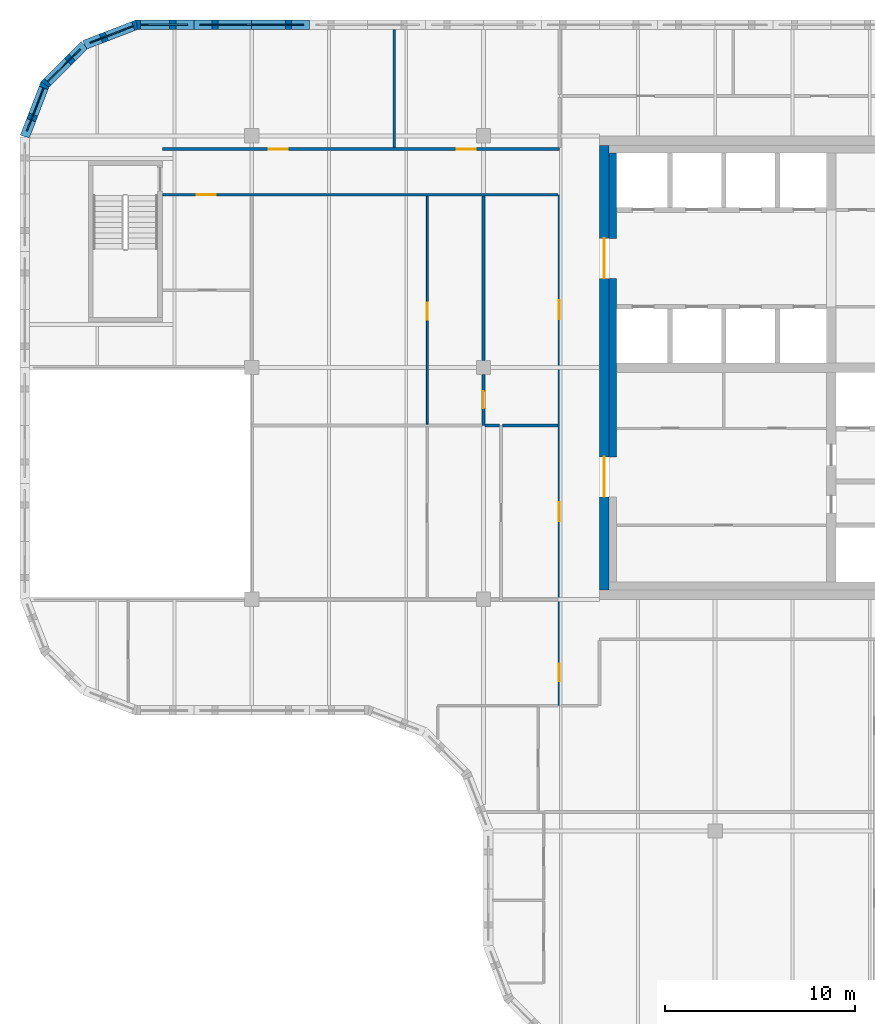
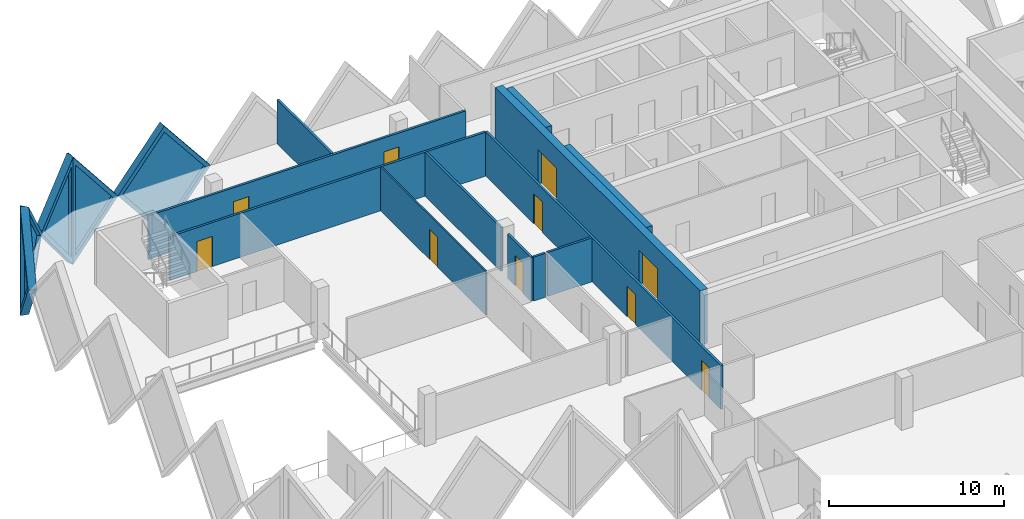
# One storey, part 7 of 11: 17 walls, 10 doors, 5 plates, 15 openings.
"""IFC4 building model written with IfcOpenShell, lengths in metres."""

from ifc_helpers import new_model, si_unit, direction, frame, frame_2d, origin, place, context, subcontext, project, spatial, polyline, rectangle, outline, extrude, faceted_brep, source, transform, mapped, material, layer, layer_set, type_object, element, fill, save


model = new_model("IFC4")

# Units and contexts
model_context = context("Model", 3, precision=1e-05, world=origin(), true_north=direction((0.0, 1.0)))
body_context = subcontext(model_context, "Body", "Model", "MODEL_VIEW")
ifc_project = project(units=[si_unit("LENGTHUNIT", "METRE"), si_unit("AREAUNIT", "SQUARE_METRE"), si_unit("VOLUMEUNIT", "CUBIC_METRE"), si_unit("PLANEANGLEUNIT", "RADIAN"), si_unit("MASSUNIT", "GRAM", prefix="KILO")], contexts=[model_context])

# Site, building, storey
site_placement = place(None, origin())
site = spatial("IfcSite", under=ifc_project, at=site_placement, CompositionType="ELEMENT")
building_placement = place(site_placement, origin())
building = spatial("IfcBuilding", under=site, at=building_placement, Name="Tessera Gate Towers", CompositionType="ELEMENT")
storey_placement = place(building_placement, frame((0.0, 0.0, 205.5)))
storey = spatial("IfcBuildingStorey", under=building, at=storey_placement, Name="L51", CompositionType="ELEMENT", Elevation=205.5)

# Wall, openings, doors
ifc_material_1 = material(Name="Concrete C50/60", Category="concrete")
ifc_layer_1 = layer(ifc_material_1, 0.5)
ifc_layer_set_1 = layer_set([ifc_layer_1], Name="CORE SHEAR WALL 500 C50/60")
wall_type_1 = type_object("IfcWallType", Name="CORE SHEAR WALL 500 C50/60", PredefinedType="SHEAR", material=ifc_layer_set_1)
wall_1_placement = place(storey_placement, frame((30.75, 24.89990234375, 0.0), z_axis=(0.0, 0.0, 1.0), x_axis=(0.0, 1.0, 0.0)))
wall_1 = element("IfcWall", 1, at=wall_1_placement, inside=storey, type_object=wall_type_1, Name="Core wall W L51", PredefinedType="SHEAR", context=body_context, shape_type="SweptSolid", body=[
    extrude(rectangle(XDim=23.400146484375, YDim=0.5, at=frame_2d((11.7001953125, 0.0))), origin(), (0.0, 0.0, 1.0), 3.800048828125),
])
shared_shape_1 = source(origin(), body_context, "Body", "SweptSolid", [
    extrude(rectangle(XDim=2.10009765625, YDim=2.39990234375, at=frame_2d((1.050048828125, 1.199951171875))), frame((0.0, 0.260009765625, 0.0), z_axis=(0.0, -1.0, 0.0), x_axis=(1.0, 0.0, 0.0)), (0.0, 0.0, 1.0), 0.52001953125),
])
opening_1_placement = place(wall_1_placement, frame((4.89990234375, 0.0, 0.0)))
opening_1 = element("IfcOpeningElement", 2, at=opening_1_placement, cuts=wall_1, Name="Opening DD-T1-31-02", PredefinedType="OPENING", context=body_context, shape_type="MappedRepresentation", body=[
    mapped(shared_shape_1, transform((0.0, 0.0, 0.0), scale=1.0)),
])
opening_2_placement = place(wall_1_placement, frame((16.39990234375, 0.0, 0.0)))
opening_2 = element("IfcOpeningElement", 3, at=opening_2_placement, cuts=wall_1, Name="Opening DD-T1-31-03", PredefinedType="OPENING", context=body_context, shape_type="MappedRepresentation", body=[
    mapped(shared_shape_1, transform((0.0, 0.0, 0.0), scale=1.0)),
])
ifc_material_2 = material(Name="Hollow steel fire door", Category="steel")
door_type_1 = type_object("IfcDoorType", Name="CORE DOOR DD 2100x2400", OperationType="NOTDEFINED", PredefinedType="DOOR", material=ifc_material_2)
shared_shape_2 = source(origin(), body_context, "Body", "SweptSolid", [
    extrude(rectangle(XDim=2.10009765625, YDim=2.39990234375, at=frame_2d((1.050048828125, 1.199951171875))), frame((0.0, 0.02490234375, 0.0), z_axis=(0.0, -1.0, 0.0), x_axis=(1.0, 0.0, 0.0)), (0.0, 0.0, 1.0), 0.050048828125),
])
door_1_placement = place(opening_1_placement, origin())
door_1 = element("IfcDoor", 4, at=door_1_placement, inside=storey, type_object=door_type_1, Name="Core entrance door", OperationType="DOUBLE_DOOR_SINGLE_SWING", OverallHeight=2.39990234375, OverallWidth=2.10009765625, PredefinedType="DOOR", context=body_context, shape_type="MappedRepresentation", body=[
    mapped(shared_shape_2, transform((0.0, 0.0, 0.0), scale=1.0)),
])
fill(opening_1, door_1)
door_2_placement = place(opening_2_placement, origin())
door_2 = element("IfcDoor", 5, at=door_2_placement, inside=storey, type_object=door_type_1, Name="Core entrance door", OperationType="DOUBLE_DOOR_SINGLE_SWING", OverallHeight=2.39990234375, OverallWidth=2.10009765625, PredefinedType="DOOR", context=body_context, shape_type="MappedRepresentation", body=[
    mapped(shared_shape_2, transform((0.0, 0.0, 0.0), scale=1.0)),
])
fill(opening_2, door_2)

# Walls
ifc_material_3 = material(Name="Concrete C50/60", Category="concrete")
ifc_layer_2 = layer(ifc_material_3, 0.39990234375)
ifc_layer_set_2 = layer_set([ifc_layer_2], Name="CORE WALL THICKENING 400")
wall_type_2 = type_object("IfcWallType", Name="CORE WALL THICKENING 400", PredefinedType="SOLIDWALL", material=ifc_layer_set_2)
wall_2_placement = place(storey_placement, frame((31.199951171875, 31.89990234375, 0.0), z_axis=(0.0, 0.0, 1.0), x_axis=(0.0, 1.0, 0.0)))
element("IfcWall", 6, at=wall_2_placement, inside=storey, type_object=wall_type_2, Name="Core wall thickening W L51", PredefinedType="SOLIDWALL", context=body_context, shape_type="SweptSolid", body=[
    extrude(rectangle(XDim=9.400146484375, YDim=0.39990234375, at=frame_2d((4.7001953125, 0.0))), origin(), (0.0, 0.0, 1.0), 3.800048828125),
])
wall_3_placement = place(storey_placement, frame((31.199951171875, 43.39990234375, 0.0), z_axis=(0.0, 0.0, 1.0), x_axis=(0.0, 1.0, 0.0)))
element("IfcWall", 7, at=wall_3_placement, inside=storey, type_object=wall_type_2, Name="Core wall thickening W L51", PredefinedType="SOLIDWALL", context=body_context, shape_type="SweptSolid", body=[
    extrude(rectangle(XDim=4.5, YDim=0.39990234375, at=frame_2d((2.25, 0.0))), origin(), (0.0, 0.0, 1.0), 3.800048828125),
])

# Wall, openings, doors
ifc_material_4 = material(Name="Gypsum board on steel studs, mineral wool", Category="steel")
ifc_layer_3 = layer(ifc_material_4, 0.14990234375)
ifc_layer_set_3 = layer_set([ifc_layer_3], Name="CORRIDOR WALL 150")
wall_type_3 = type_object("IfcWallType", Name="CORRIDOR WALL 150", PredefinedType="PARTITIONING", material=ifc_layer_set_3)
wall_4_placement = place(storey_placement, frame((28.39990234375, 18.800048828125, 0.0), z_axis=(0.0, 0.0, 1.0), x_axis=(0.0, 1.0, 0.0)))
wall_4 = element("IfcWall", 8, at=wall_4_placement, inside=storey, type_object=wall_type_3, Name="T1-L51-PW-022", PredefinedType="PARTITIONING", context=body_context, shape_type="SweptSolid", body=[
    extrude(rectangle(XDim=26.89990234375, YDim=0.14990234375, at=frame_2d((13.449951171875, 0.0))), origin(), (0.0, 0.0, 1.0), 3.06689453125),
])
shared_shape_3 = source(origin(), body_context, "Body", "SweptSolid", [
    extrude(rectangle(XDim=0.89990234375, YDim=2.10009765625, at=frame_2d((0.449951171875, 1.050048828125))), frame((0.0, 0.0849609375, 0.0), z_axis=(0.0, -1.0, 0.0), x_axis=(1.0, 0.0, 0.0)), (0.0, 0.0, 1.0), 0.169921875),
])
opening_3_placement = place(wall_4_placement, frame((1.300048828125, 0.0, 0.0)))
opening_3 = element("IfcOpeningElement", 9, at=opening_3_placement, cuts=wall_4, Name="Opening D890FD60-A18-01", PredefinedType="OPENING", context=body_context, shape_type="MappedRepresentation", body=[
    mapped(shared_shape_3, transform((0.0, 0.0, 0.0), scale=1.0)),
])
shared_shape_4 = source(origin(), body_context, "Body", "SweptSolid", [
    extrude(rectangle(XDim=1.0, YDim=2.10009765625, at=frame_2d((0.5, 1.050048828125))), frame((0.0, 0.0849609375, 0.0), z_axis=(0.0, -1.0, 0.0), x_axis=(1.0, 0.0, 0.0)), (0.0, 0.0, 1.0), 0.169921875),
])
opening_4_placement = place(wall_4_placement, frame((9.699951171875, 0.0, 0.0)))
opening_4 = element("IfcOpeningElement", 10, at=opening_4_placement, cuts=wall_4, Name="Opening D2100FD60-A18-04", PredefinedType="OPENING", context=body_context, shape_type="MappedRepresentation", body=[
    mapped(shared_shape_4, transform((0.0, 0.0, 0.0), scale=1.0)),
])
opening_5_placement = place(wall_4_placement, frame((20.35009765625, 0.0, 0.0)))
opening_5 = element("IfcOpeningElement", 11, at=opening_5_placement, cuts=wall_4, Name="Opening D2100FD60-A18-06", PredefinedType="OPENING", context=body_context, shape_type="MappedRepresentation", body=[
    mapped(shared_shape_4, transform((0.0, 0.0, 0.0), scale=1.0)),
])
ifc_material_5 = material(Name="Timber door leaf in steel frame", Category="steel")
door_type_2 = type_object("IfcDoorType", Name="CORRIDOR DOOR 900 FD60", OperationType="NOTDEFINED", PredefinedType="DOOR", material=ifc_material_5)
shared_shape_5 = source(origin(), body_context, "Body", "SweptSolid", [
    extrude(rectangle(XDim=0.89990234375, YDim=2.10009765625, at=frame_2d((0.449951171875, 1.050048828125))), frame((0.0, 0.02490234375, 0.0), z_axis=(0.0, -1.0, 0.0), x_axis=(1.0, 0.0, 0.0)), (0.0, 0.0, 1.0), 0.050048828125),
])
door_3_placement = place(opening_3_placement, origin())
door_3 = element("IfcDoor", 12, at=door_3_placement, inside=storey, type_object=door_type_2, Name="T1-L51-PD-001", OperationType="SINGLE_SWING_LEFT", OverallHeight=2.10009765625, OverallWidth=0.89990234375, PredefinedType="DOOR", context=body_context, shape_type="MappedRepresentation", body=[
    mapped(shared_shape_5, transform((0.0, 0.0, 0.0), scale=1.0)),
])
fill(opening_3, door_3)
ifc_material_6 = material(Name="Timber door leaf in steel frame", Category="steel")
door_type_3 = type_object("IfcDoorType", Name="TENANCY ENTRANCE DOOR 1000 FD60", OperationType="NOTDEFINED", PredefinedType="DOOR", material=ifc_material_6)
shared_shape_6 = source(origin(), body_context, "Body", "SweptSolid", [
    extrude(rectangle(XDim=1.0, YDim=2.10009765625, at=frame_2d((0.5, 1.050048828125))), frame((0.0, 0.02490234375, 0.0), z_axis=(0.0, -1.0, 0.0), x_axis=(1.0, 0.0, 0.0)), (0.0, 0.0, 1.0), 0.050048828125),
])
door_4_placement = place(opening_4_placement, origin())
door_4 = element("IfcDoor", 13, at=door_4_placement, inside=storey, type_object=door_type_3, Name="T1-L51-PD-018", OperationType="SINGLE_SWING_LEFT", OverallHeight=2.10009765625, OverallWidth=1.0, PredefinedType="DOOR", context=body_context, shape_type="MappedRepresentation", body=[
    mapped(shared_shape_6, transform((0.0, 0.0, 0.0), scale=1.0)),
])
fill(opening_4, door_4)
door_5_placement = place(opening_5_placement, origin())
door_5 = element("IfcDoor", 14, at=door_5_placement, inside=storey, type_object=door_type_3, Name="T1-L51-PD-024", OperationType="SINGLE_SWING_LEFT", OverallHeight=2.10009765625, OverallWidth=1.0, PredefinedType="DOOR", context=body_context, shape_type="MappedRepresentation", body=[
    mapped(shared_shape_6, transform((0.0, 0.0, 0.0), scale=1.0)),
])
fill(opening_5, door_5)

# Wall, opening, door
wall_5_placement = place(storey_placement, frame((28.323974609375, 45.699951171875, 0.0), z_axis=(0.0, 0.0, 1.0), x_axis=(-1.0, 0.0, 0.0)))
wall_5 = element("IfcWall", 15, at=wall_5_placement, inside=storey, type_object=wall_type_3, Name="T1-L51-PW-043", PredefinedType="PARTITIONING", context=body_context, shape_type="SweptSolid", body=[
    extrude(rectangle(XDim=20.823974609375, YDim=0.14990234375, at=frame_2d((10.412109375, 0.0))), origin(), (0.0, 0.0, 1.0), 3.06689453125),
])
opening_6_placement = place(wall_5_placement, frame((18.02392578125, 0.0, 0.0)))
opening_6 = element("IfcOpeningElement", 16, at=opening_6_placement, cuts=wall_5, Name="Opening D2100FD60-A18-01", PredefinedType="OPENING", context=body_context, shape_type="MappedRepresentation", body=[
    mapped(shared_shape_4, transform((0.0, 0.0, 0.0), scale=1.0)),
])
door_6_placement = place(opening_6_placement, origin())
door_6 = element("IfcDoor", 17, at=door_6_placement, inside=storey, type_object=door_type_3, Name="T1-L51-PD-006", OperationType="SINGLE_SWING_RIGHT", OverallHeight=2.10009765625, OverallWidth=1.0, PredefinedType="DOOR", context=body_context, shape_type="MappedRepresentation", body=[
    mapped(shared_shape_6, transform((0.0, 0.0, 0.0), scale=1.0)),
])
fill(opening_6, door_6)

# Wall, openings, doors
wall_6_placement = place(storey_placement, frame((7.5, 48.10009765625, 0.0), z_axis=(0.0, 0.0, 1.0), x_axis=(1.0, 0.0, 0.0)))
wall_6 = element("IfcWall", 18, at=wall_6_placement, inside=storey, type_object=wall_type_3, Name="T1-L51-PW-044", PredefinedType="PARTITIONING", context=body_context, shape_type="SweptSolid", body=[
    extrude(rectangle(XDim=20.89990234375, YDim=0.14990234375, at=frame_2d((10.449951171875, 0.0))), origin(), (0.0, 0.0, 1.0), 3.06689453125),
])
opening_7_placement = place(wall_6_placement, frame((15.5009765625, 0.0, 0.0)))
opening_7 = element("IfcOpeningElement", 19, at=opening_7_placement, cuts=wall_6, Name="Opening D2100FD60-A18-03", PredefinedType="OPENING", context=body_context, shape_type="MappedRepresentation", body=[
    mapped(shared_shape_4, transform((0.0, 0.0, 0.0), scale=1.0)),
])
opening_8_placement = place(wall_6_placement, frame((5.60009765625, 0.0, 0.0)))
opening_8 = element("IfcOpeningElement", 20, at=opening_8_placement, cuts=wall_6, Name="Opening D2100FD60-A18-07", PredefinedType="OPENING", context=body_context, shape_type="MappedRepresentation", body=[
    mapped(shared_shape_4, transform((0.0, 0.0, 0.0), scale=1.0)),
])
door_7_placement = place(opening_7_placement, origin())
door_7 = element("IfcDoor", 21, at=door_7_placement, inside=storey, type_object=door_type_3, Name="T1-L51-PD-013", OperationType="SINGLE_SWING_LEFT", OverallHeight=2.10009765625, OverallWidth=1.0, PredefinedType="DOOR", context=body_context, shape_type="MappedRepresentation", body=[
    mapped(shared_shape_6, transform((0.0, 0.0, 0.0), scale=1.0)),
])
fill(opening_7, door_7)
door_8_placement = place(opening_8_placement, origin())
door_8 = element("IfcDoor", 22, at=door_8_placement, inside=storey, type_object=door_type_3, Name="T1-L51-PD-025", OperationType="SINGLE_SWING_LEFT", OverallHeight=2.10009765625, OverallWidth=1.0, PredefinedType="DOOR", context=body_context, shape_type="MappedRepresentation", body=[
    mapped(shared_shape_6, transform((0.0, 0.0, 0.0), scale=1.0)),
])
fill(opening_8, door_8)

# Wall, opening, door
ifc_material_7 = material(Name="Gypsum board on steel studs", Category="steel")
ifc_layer_4 = layer(ifc_material_7, 0.10009765625)
ifc_layer_set_4 = layer_set([ifc_layer_4], Name="PARTITION 100")
wall_type_4 = type_object("IfcWallType", Name="PARTITION 100", PredefinedType="PARTITIONING", material=ifc_layer_set_4)
wall_7_placement = place(storey_placement, frame((21.449951171875, 33.6259765625, 0.0), z_axis=(0.0, 0.0, 1.0), x_axis=(0.0, 1.0, 0.0)))
wall_7 = element("IfcWall", 23, at=wall_7_placement, inside=storey, type_object=wall_type_4, Name="T1-L51-PW-039", PredefinedType="PARTITIONING", context=body_context, shape_type="SweptSolid", body=[
    extrude(rectangle(XDim=11.998046875, YDim=0.10009765625, at=frame_2d((5.9990234375, 0.0))), origin(), (0.0, 0.0, 1.0), 3.06689453125),
])
shared_shape_7 = source(origin(), body_context, "Body", "SweptSolid", [
    extrude(rectangle(XDim=0.89990234375, YDim=2.10009765625, at=frame_2d((0.449951171875, 1.050048828125))), frame((0.0, 0.06005859375, 0.0), z_axis=(0.0, -1.0, 0.0), x_axis=(1.0, 0.0, 0.0)), (0.0, 0.0, 1.0), 0.1201171875),
])
opening_9_placement = place(wall_7_placement, frame((5.5, 0.0, 0.0)))
opening_9 = element("IfcOpeningElement", 24, at=opening_9_placement, cuts=wall_7, Name="Opening D190-A18-08", PredefinedType="OPENING", context=body_context, shape_type="MappedRepresentation", body=[
    mapped(shared_shape_7, transform((0.0, 0.0, 0.0), scale=1.0)),
])
ifc_material_8 = material(Name="Timber door leaf in steel frame", Category="steel")
door_type_4 = type_object("IfcDoorType", Name="INTERNAL DOOR 900 NOT RATED", OperationType="NOTDEFINED", PredefinedType="DOOR", material=ifc_material_8)
door_9_placement = place(opening_9_placement, origin())
door_9 = element("IfcDoor", 25, at=door_9_placement, inside=storey, type_object=door_type_4, Name="T1-L51-PD-023", OperationType="SINGLE_SWING_LEFT", OverallHeight=2.10009765625, OverallWidth=0.89990234375, PredefinedType="DOOR", context=body_context, shape_type="MappedRepresentation", body=[
    mapped(shared_shape_5, transform((0.0, 0.0, 0.0), scale=1.0)),
])
fill(opening_9, door_9)

ifc_material_9 = material(Name="Gypsum board on steel studs, mineral wool", Category="steel")
ifc_layer_5 = layer(ifc_material_9, 0.14990234375)
ifc_layer_set_5 = layer_set([ifc_layer_5], Name="TENANCY WALL 150")
wall_type_5 = type_object("IfcWallType", Name="TENANCY WALL 150", PredefinedType="PARTITIONING", material=ifc_layer_set_5)
wall_8_placement = place(storey_placement, frame((24.39990234375, 33.550048828125, 0.0), z_axis=(0.0, 0.0, 1.0), x_axis=(0.0, 1.0, 0.0)))
wall_8 = element("IfcWall", 26, at=wall_8_placement, inside=storey, type_object=wall_type_5, Name="T1-L51-PW-036", PredefinedType="PARTITIONING", context=body_context, shape_type="SweptSolid", body=[
    extrude(rectangle(XDim=2.674072265625, YDim=0.14990234375, at=frame_2d((1.3369140625, 0.0))), origin(), (0.0, 0.0, 1.0), 3.06689453125),
])
opening_10_placement = place(wall_8_placement, frame((0.89990234375, 0.0, 0.0)))
opening_10 = element("IfcOpeningElement", 27, at=opening_10_placement, cuts=wall_8, Name="Opening D190-A18-07", PredefinedType="OPENING", context=body_context, shape_type="MappedRepresentation", body=[
    mapped(shared_shape_3, transform((0.0, 0.0, 0.0), scale=1.0)),
])
door_10_placement = place(opening_10_placement, origin())
door_10 = element("IfcDoor", 28, at=door_10_placement, inside=storey, type_object=door_type_4, Name="T1-L51-PD-022", OperationType="SINGLE_SWING_LEFT", OverallHeight=2.10009765625, OverallWidth=0.89990234375, PredefinedType="DOOR", context=body_context, shape_type="MappedRepresentation", body=[
    mapped(shared_shape_5, transform((0.0, 0.0, 0.0), scale=1.0)),
])
fill(opening_10, door_10)

# Walls
wall_9_placement = place(storey_placement, frame((24.47607421875, 33.550048828125, 0.0), z_axis=(0.0, 0.0, 1.0), x_axis=(1.0, 0.0, 0.0)))
element("IfcWall", 29, at=wall_9_placement, inside=storey, type_object=wall_type_5, Name="T1-L51-PW-037", PredefinedType="PARTITIONING", context=body_context, shape_type="SweptSolid", body=[
    extrude(rectangle(XDim=0.77294921875, YDim=0.14990234375, at=frame_2d((0.386474609375, 0.0))), origin(), (0.0, 0.0, 1.0), 3.06689453125),
])
wall_10_placement = place(storey_placement, frame((25.40087890625, 33.550048828125, 0.0), z_axis=(0.0, 0.0, 1.0), x_axis=(1.0, 0.0, 0.0)))
element("IfcWall", 30, at=wall_10_placement, inside=storey, type_object=wall_type_5, Name="T1-L51-PW-038", PredefinedType="PARTITIONING", context=body_context, shape_type="SweptSolid", body=[
    extrude(rectangle(XDim=2.923095703125, YDim=0.14990234375, at=frame_2d((1.46142578125, 0.0))), origin(), (0.0, 0.0, 1.0), 3.06689453125),
])
wall_11_placement = place(storey_placement, frame((24.39990234375, 36.97607421875, 0.0), z_axis=(0.0, 0.0, 1.0), x_axis=(0.0, 1.0, 0.0)))
element("IfcWall", 31, at=wall_11_placement, inside=storey, type_object=wall_type_5, Name="T1-L51-PW-041", PredefinedType="PARTITIONING", context=body_context, shape_type="SweptSolid", body=[
    extrude(rectangle(XDim=8.64794921875, YDim=0.14990234375, at=frame_2d((4.323974609375, 0.0))), origin(), (0.0, 0.0, 1.0), 3.06689453125),
])
wall_12_placement = place(storey_placement, frame((19.699951171875, 48.176025390625, 0.0), z_axis=(0.0, 0.0, 1.0), x_axis=(0.0, 1.0, 0.0)))
element("IfcWall", 32, at=wall_12_placement, inside=storey, type_object=wall_type_5, Name="T1-L51-PW-045", PredefinedType="PARTITIONING", context=body_context, shape_type="SweptSolid", body=[
    extrude(rectangle(XDim=6.223876953125, YDim=0.14990234375, at=frame_2d((3.11181640625, 0.0))), origin(), (0.0, 0.0, 1.0), 3.06689453125),
])

# Wall, opening, plate
ifc_material_10 = material(Name="Precast concrete C60/75 white", Category="concrete")
ifc_layer_6 = layer(ifc_material_10, 0.5)
ifc_layer_set_6 = layer_set([ifc_layer_6], Name="TS1 tessera")
wall_type_6 = type_object("IfcWallType", Name="TS1 tessera", PredefinedType="SOLIDWALL", material=ifc_layer_set_6)
shared_shape_8 = source(origin(), body_context, "Body", "SweptSolid", [
    extrude(outline(polyline([(3.050048828125, 0.0), (6.10009765625, 3.800048828125), (3.050048828125, 7.60009765625), (0.0, 3.800048828125), (3.050048828125, 0.0)])), frame((0.0, 0.25, 0.0), z_axis=(0.0, -1.0, 0.0), x_axis=(1.0, 0.0, 0.0)), (0.0, 0.0, 1.0), 0.5),
])
wall_13_placement = place(storey_placement, frame((15.25, 54.64990234375, -3.800048828125), z_axis=(0.0, 0.0, 1.0), x_axis=(-1.0, 0.0, 0.0)))
wall_13 = element("IfcWall", 33, at=wall_13_placement, inside=storey, type_object=wall_type_6, Name="Precast tessera T1 TS1-0890", PredefinedType="SOLIDWALL", context=body_context, shape_type="MappedRepresentation", body=[
    mapped(shared_shape_8, transform((0.0, 0.0, 0.0), scale=1.0)),
])
shared_shape_9 = source(origin(), body_context, "Body", "SweptSolid", [
    extrude(outline(polyline([(3.050048828125, 0.3994140625), (5.779541015625, 3.800048828125), (3.050048828125, 7.20068359375), (0.320556640625, 3.800048828125), (3.050048828125, 0.3994140625)])), frame((0.0, 0.260009765625, 0.0), z_axis=(0.0, -1.0, 0.0), x_axis=(1.0, 0.0, 0.0)), (0.0, 0.0, 1.0), 0.52001953125),
])
opening_11_placement = place(wall_13_placement, origin())
opening_11 = element("IfcOpeningElement", 34, at=opening_11_placement, cuts=wall_13, Name="Opening T1-PL2-1812", PredefinedType="OPENING", context=body_context, shape_type="MappedRepresentation", body=[
    mapped(shared_shape_9, transform((0.0, 0.0, 0.0), scale=1.0)),
])
ifc_material_11 = material(Name="Low-e laminated glass", Category="glass")
ifc_layer_7 = layer(ifc_material_11, 0.06005859375)
ifc_layer_set_7 = layer_set([ifc_layer_7], Name="PL2 rhombic pane")
plate_type = type_object("IfcPlateType", Name="PL2 rhombic pane", PredefinedType="SHEET", material=ifc_layer_set_7)
shared_shape_10 = source(origin(), body_context, "Body", "SweptSolid", [
    extrude(outline(polyline([(3.050048828125, 0.3994140625), (5.779541015625, 3.800048828125), (3.050048828125, 7.20068359375), (0.320556640625, 3.800048828125), (3.050048828125, 0.3994140625)])), frame((0.0, 0.030029296875, 0.0), z_axis=(0.0, -1.0, 0.0), x_axis=(1.0, 0.0, 0.0)), (0.0, 0.0, 1.0), 0.06005859375),
])
plate_1_placement = place(opening_11_placement, origin())
plate_1 = element("IfcPlate", 35, at=plate_1_placement, inside=storey, type_object=plate_type, Name="Glass pane T1 PL2-1812", PredefinedType="SHEET", context=body_context, shape_type="MappedRepresentation", body=[
    mapped(shared_shape_10, transform((0.0, 0.0, 0.0), scale=1.0)),
])
fill(opening_11, plate_1)

ifc_material_12 = material(Name="Precast concrete C60/75 white", Category="concrete")
ifc_layer_8 = layer(ifc_material_12, 0.5)
ifc_layer_set_8 = layer_set([ifc_layer_8], Name="TS3 corner tessera")
wall_type_7 = type_object("IfcWallType", Name="TS3 corner tessera", PredefinedType="SOLIDWALL", material=ifc_layer_set_8)
shared_shape_11 = source(origin(), body_context, "Body", "Brep", [
    faceted_brep([(3.00341796875, -0.25, 0.0), (3.050048828125, -0.25, 0.06005859375), (3.050048828125, -0.25, 7.5400390625), (3.00341796875, -0.25, 7.60009765625), (0.0, -0.25, 3.800048828125), (0.0, 0.25, 3.800048828125), (2.956787109375, 0.25, 7.541259765625), (2.956787109375, 0.25, 0.058837890625), (3.00341796875, 0.000244140625, 0.0), (3.00341796875, 0.000244140625, 7.60009765625)], [[[0, 1, 2, 3, 4]], [[5, 6, 7]], [[1, 0, 8]], [[9, 3, 2]], [[6, 5, 4, 3, 9]], [[5, 7, 8, 0, 4]], [[1, 8, 7, 6, 9, 2]]]),
])
wall_14_placement = place(storey_placement, frame((9.14990234375, 54.64990234375, -3.800048828125), z_axis=(0.0, 0.0, 1.0), x_axis=(-1.0, 0.0, 0.0)))
wall_14 = element("IfcWall", 36, at=wall_14_placement, inside=storey, type_object=wall_type_7, Name="Precast corner tessera T1 TS3-1187", PredefinedType="SOLIDWALL", context=body_context, shape_type="MappedRepresentation", body=[
    mapped(shared_shape_11, transform((0.0, 0.0, 0.0), scale=1.0)),
])
shared_shape_12 = source(origin(), body_context, "Body", "SweptSolid", [
    extrude(outline(polyline([(2.803466796875, 6.94384765625), (0.318603515625, 3.800048828125), (2.803466796875, 0.65625), (2.803466796875, 6.94384765625)])), frame((0.0, 0.260009765625, 0.0), z_axis=(0.0, -1.0, 0.0), x_axis=(1.0, 0.0, 0.0)), (0.0, 0.0, 1.0), 0.52001953125),
])
opening_12_placement = place(wall_14_placement, origin())
opening_12 = element("IfcOpeningElement", 37, at=opening_12_placement, cuts=wall_14, Name="Opening T1-PL2-1813", PredefinedType="OPENING", context=body_context, shape_type="MappedRepresentation", body=[
    mapped(shared_shape_12, transform((0.0, 0.0, 0.0), scale=1.0)),
])
shared_shape_13 = source(origin(), body_context, "Body", "SweptSolid", [
    extrude(outline(polyline([(2.803466796875, 6.94384765625), (0.318603515625, 3.800048828125), (2.803466796875, 0.65625), (2.803466796875, 6.94384765625)])), frame((0.0, 0.030029296875, 0.0), z_axis=(0.0, -1.0, 0.0), x_axis=(1.0, 0.0, 0.0)), (0.0, 0.0, 1.0), 0.06005859375),
])
plate_2_placement = place(opening_12_placement, origin())
plate_2 = element("IfcPlate", 38, at=plate_2_placement, inside=storey, type_object=plate_type, Name="Glass pane T1 PL2-1813", PredefinedType="SHEET", context=body_context, shape_type="MappedRepresentation", body=[
    mapped(shared_shape_13, transform((0.0, 0.0, 0.0), scale=1.0)),
])
fill(opening_12, plate_2)

shared_shape_14 = source(origin(), body_context, "Body", "Brep", [
    faceted_brep([(0.046630859375, -0.25, 0.0), (2.9970703125, -0.25, 3.800048828125), (0.046630859375, -0.25, 7.60009765625), (0.0, -0.25, 7.541259765625), (0.0, -0.25, 0.058837890625), (0.09326171875, 0.25, 7.5400390625), (2.9443359375, 0.25, 3.8681640625), (2.9443359375, 0.25, 3.73193359375), (0.09326171875, 0.25, 0.06005859375), (2.9970703125, 0.00048828125, 3.800048828125), (0.046630859375, 0.0, 0.0), (0.046630859375, 0.0, 7.60009765625)], [[[0, 1, 2, 3, 4]], [[5, 6, 7, 8]], [[8, 7, 9, 1, 0, 10]], [[6, 5, 11, 2, 1, 9]], [[3, 2, 11]], [[10, 0, 4]], [[8, 10, 4, 3, 11, 5]], [[9, 7, 6]]]),
])
wall_15_placement = place(storey_placement, frame((6.18994140625, 54.666748046875, -3.800048828125), z_axis=(0.0, 0.0, 1.0), x_axis=(-0.932990326376, -0.359901446078, 0.0)))
wall_15 = element("IfcWall", 39, at=wall_15_placement, inside=storey, type_object=wall_type_7, Name="Precast corner tessera T1 TS3-1188", PredefinedType="SOLIDWALL", context=body_context, shape_type="MappedRepresentation", body=[
    mapped(shared_shape_14, transform((0.0, 0.0, 0.0), scale=1.0)),
])
shared_shape_15 = source(origin(), body_context, "Body", "SweptSolid", [
    extrude(outline(polyline([(0.24658203125, 0.665283203125), (2.6806640625, 3.800048828125), (0.24658203125, 6.934814453125), (0.24658203125, 0.665283203125)])), frame((0.0, 0.260009765625, 0.0), z_axis=(0.0, -1.0, 0.0), x_axis=(1.0, 0.0, 0.0)), (0.0, 0.0, 1.0), 0.52001953125),
])
opening_13_placement = place(wall_15_placement, origin())
opening_13 = element("IfcOpeningElement", 40, at=opening_13_placement, cuts=wall_15, Name="Opening T1-PL2-1814", PredefinedType="OPENING", context=body_context, shape_type="MappedRepresentation", body=[
    mapped(shared_shape_15, transform((0.0, 0.0, 0.0), scale=1.0)),
])
shared_shape_16 = source(origin(), body_context, "Body", "SweptSolid", [
    extrude(outline(polyline([(0.24658203125, 0.665283203125), (2.6806640625, 3.800048828125), (0.24658203125, 6.934814453125), (0.24658203125, 0.665283203125)])), frame((0.0, 0.030029296875, 0.0), z_axis=(0.0, -1.0, 0.0), x_axis=(1.0, 0.0, 0.0)), (0.0, 0.0, 1.0), 0.06005859375),
])
plate_3_placement = place(opening_13_placement, origin())
plate_3 = element("IfcPlate", 41, at=plate_3_placement, inside=storey, type_object=plate_type, Name="Glass pane T1 PL2-1814", PredefinedType="SHEET", context=body_context, shape_type="MappedRepresentation", body=[
    mapped(shared_shape_16, transform((0.0, 0.0, 0.0), scale=1.0)),
])
fill(opening_13, plate_3)

shared_shape_17 = source(origin(), body_context, "Body", "Brep", [
    faceted_brep([(0.052978515625, -0.25, 0.0), (3.00341796875, -0.25, 3.800048828125), (0.052978515625, -0.25, 7.60009765625), (0.0, -0.25, 7.53173828125), (0.0, -0.25, 0.068359375), (0.10595703125, 0.25, 7.531982421875), (2.95703125, 0.25, 3.85986328125), (2.95703125, 0.25, 3.740234375), (0.10595703125, 0.25, 0.068115234375), (3.00341796875, 0.00048828125, 3.800048828125), (0.052978515625, 0.0, 0.0), (0.052978515625, 0.0, 7.60009765625)], [[[0, 1, 2, 3, 4]], [[5, 6, 7, 8]], [[8, 7, 9, 1, 0, 10]], [[6, 5, 11, 2, 1, 9]], [[3, 2, 11]], [[10, 0, 4]], [[8, 10, 4, 3, 11, 5]], [[9, 7, 6]]]),
])
wall_16_placement = place(storey_placement, frame((1.3310546875, 51.5556640625, -3.800048828125), z_axis=(0.0, 0.0, 1.0), x_axis=(-0.35992665181, -0.932980602862, 0.0)))
wall_16 = element("IfcWall", 42, at=wall_16_placement, inside=storey, type_object=wall_type_7, Name="Precast corner tessera T1 TS3-1190", PredefinedType="SOLIDWALL", context=body_context, shape_type="MappedRepresentation", body=[
    mapped(shared_shape_17, transform((0.0, 0.0, 0.0), scale=1.0)),
])
shared_shape_18 = source(origin(), body_context, "Body", "SweptSolid", [
    extrude(outline(polyline([(0.2529296875, 0.665283203125), (2.68701171875, 3.800048828125), (0.2529296875, 6.934814453125), (0.2529296875, 0.665283203125)])), frame((0.0, 0.260009765625, 0.0), z_axis=(0.0, -1.0, 0.0), x_axis=(1.0, 0.0, 0.0)), (0.0, 0.0, 1.0), 0.52001953125),
])
opening_14_placement = place(wall_16_placement, origin())
opening_14 = element("IfcOpeningElement", 43, at=opening_14_placement, cuts=wall_16, Name="Opening T1-PL2-1816", PredefinedType="OPENING", context=body_context, shape_type="MappedRepresentation", body=[
    mapped(shared_shape_18, transform((0.0, 0.0, 0.0), scale=1.0)),
])
shared_shape_19 = source(origin(), body_context, "Body", "SweptSolid", [
    extrude(outline(polyline([(0.2529296875, 0.665283203125), (2.68701171875, 3.800048828125), (0.2529296875, 6.934814453125), (0.2529296875, 0.665283203125)])), frame((0.0, 0.030029296875, 0.0), z_axis=(0.0, -1.0, 0.0), x_axis=(1.0, 0.0, 0.0)), (0.0, 0.0, 1.0), 0.06005859375),
])
plate_4_placement = place(opening_14_placement, origin())
plate_4 = element("IfcPlate", 44, at=plate_4_placement, inside=storey, type_object=plate_type, Name="Glass pane T1 PL2-1816", PredefinedType="SHEET", context=body_context, shape_type="MappedRepresentation", body=[
    mapped(shared_shape_19, transform((0.0, 0.0, 0.0), scale=1.0)),
])
fill(opening_14, plate_4)

shared_shape_20 = source(origin(), body_context, "Body", "Brep", [
    faceted_brep([(2.944091796875, -0.25, 0.0), (2.9970703125, -0.25, 0.068115234375), (2.9970703125, -0.25, 7.531982421875), (2.944091796875, -0.25, 7.60009765625), (0.0, -0.25, 3.800048828125), (0.052978515625, 0.25, 3.868408203125), (2.89111328125, 0.25, 7.531982421875), (2.89111328125, 0.25, 0.068115234375), (0.052978515625, 0.25, 3.731689453125), (2.944091796875, 0.000244140625, 0.0), (2.944091796875, 0.000244140625, 7.60009765625), (0.0, 0.0, 3.800048828125)], [[[0, 1, 2, 3, 4]], [[5, 6, 7, 8]], [[1, 0, 9]], [[10, 3, 2]], [[6, 5, 11, 4, 3, 10]], [[8, 7, 9, 0, 4, 11]], [[8, 11, 5]], [[1, 9, 7, 6, 10, 2]]]),
])
wall_17_placement = place(storey_placement, frame((3.393798828125, 53.588134765625, -3.800048828125), z_axis=(0.0, 0.0, 1.0), x_axis=(-0.707106781187, -0.707106781187, 0.0)))
wall_17 = element("IfcWall", 45, at=wall_17_placement, inside=storey, type_object=wall_type_7, Name="Precast corner tessera T1 TS3-1189", PredefinedType="SOLIDWALL", context=body_context, shape_type="MappedRepresentation", body=[
    mapped(shared_shape_20, transform((0.0, 0.0, 0.0), scale=1.0)),
])
shared_shape_21 = source(origin(), body_context, "Body", "SweptSolid", [
    extrude(outline(polyline([(2.744140625, 6.933837890625), (0.316162109375, 3.800048828125), (2.744140625, 0.666259765625), (2.744140625, 6.933837890625)])), frame((0.0, 0.260009765625, 0.0), z_axis=(0.0, -1.0, 0.0), x_axis=(1.0, 0.0, 0.0)), (0.0, 0.0, 1.0), 0.52001953125),
])
opening_15_placement = place(wall_17_placement, origin())
opening_15 = element("IfcOpeningElement", 46, at=opening_15_placement, cuts=wall_17, Name="Opening T1-PL2-1815", PredefinedType="OPENING", context=body_context, shape_type="MappedRepresentation", body=[
    mapped(shared_shape_21, transform((0.0, 0.0, 0.0), scale=1.0)),
])
shared_shape_22 = source(origin(), body_context, "Body", "SweptSolid", [
    extrude(outline(polyline([(2.744140625, 6.933837890625), (0.316162109375, 3.800048828125), (2.744140625, 0.666259765625), (2.744140625, 6.933837890625)])), frame((0.0, 0.030029296875, 0.0), z_axis=(0.0, -1.0, 0.0), x_axis=(1.0, 0.0, 0.0)), (0.0, 0.0, 1.0), 0.06005859375),
])
plate_5_placement = place(opening_15_placement, origin())
plate_5 = element("IfcPlate", 47, at=plate_5_placement, inside=storey, type_object=plate_type, Name="Glass pane T1 PL2-1815", PredefinedType="SHEET", context=body_context, shape_type="MappedRepresentation", body=[
    mapped(shared_shape_22, transform((0.0, 0.0, 0.0), scale=1.0)),
])
fill(opening_15, plate_5)

save(model, "model.ifc")
